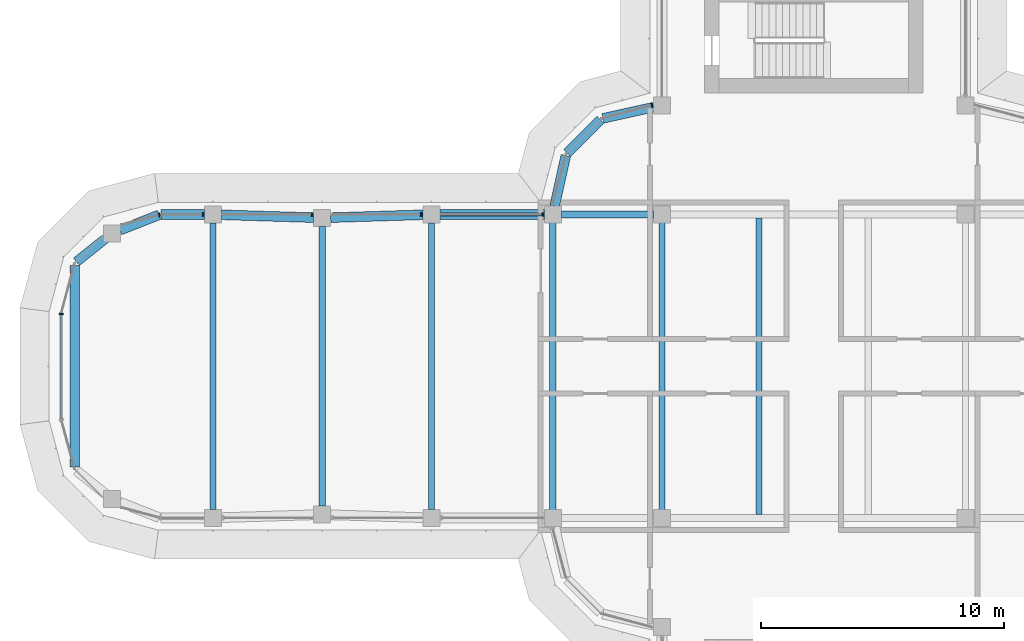
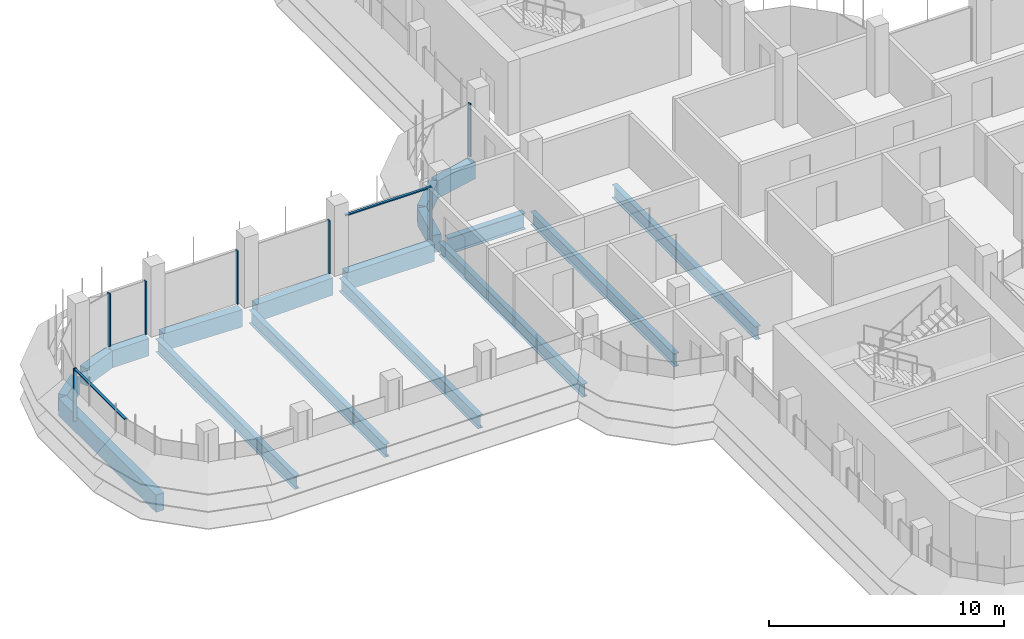
# One storey, part 6 of 19: 17 beams, 9 members, 4 elements without a shape of their own.
"""IFC4 building model written with IfcOpenShell, lengths in metres."""

from ifc_helpers import new_model, si_unit, direction, frame, origin, origin_2d, place, context, subcontext, project, spatial, polyline, rectangle, i_section, outline, extrude, source, transform, mapped, material, material_profile, profile_set, type_object, element, aggregate, save


model = new_model("IFC4")

# Units and contexts
model_context = context("Model", 3, precision=1e-05, world=origin(), true_north=direction((0.0, 1.0)))
body_context = subcontext(model_context, "Body", "Model", "MODEL_VIEW")
ifc_project = project(units=[si_unit("LENGTHUNIT", "METRE"), si_unit("AREAUNIT", "SQUARE_METRE"), si_unit("VOLUMEUNIT", "CUBIC_METRE"), si_unit("PLANEANGLEUNIT", "RADIAN"), si_unit("MASSUNIT", "GRAM", prefix="KILO")], contexts=[model_context])

# Site, building, storey
site_placement = place(None, origin())
site = spatial("IfcSite", under=ifc_project, at=site_placement, CompositionType="ELEMENT")
building_placement = place(site_placement, origin())
building = spatial("IfcBuilding", under=site, at=building_placement, Name="Zarbagh Exchange Tower", CompositionType="ELEMENT")
storey_placement = place(building_placement, frame((0.0, 0.0, 233.39990234375)))
storey = spatial("IfcBuildingStorey", under=building, at=storey_placement, Name="L57", CompositionType="ELEMENT", Elevation=233.39990234375)

# Beams
ifc_material_1 = material(Name="Steel ASTM A992 Gr 50", Category="steel")
ifc_material_profile_1 = material_profile(ifc_material_1, i_section(OverallWidth=0.25390625, OverallDepth=0.67822265625, WebThickness=0.01171875, FlangeThickness=0.016357421875, at=origin_2d()), Name="W27X84")
ifc_profile_set_1 = profile_set([ifc_material_profile_1], Name="Steel ASTM A992 Gr 50")
beam_type_1 = type_object("IfcBeamType", Name="Floor beam W27X84", PredefinedType="BEAM", material=ifc_profile_set_1)
for number, where, z_axis, x_axis, name in (
    (1, (-10.75, -6.10400390625, -0.489013671875), (0.0, 1.0, 0.0), (-1.0, 0.0, 0.0), "Steel floor beam"),
    (2, (-6.25, -6.10400390625, -0.489013671875), (0.0, 1.0, 0.0), (-1.0, 0.0, 0.0), "Steel floor beam"),
    (3, (-2.25, -6.10400390625, -0.489013671875), (0.0, 1.0, 0.0), (-1.0, 0.0, 0.0), "Steel floor beam"),
):
    element("IfcBeam", number, at=place(storey_placement, frame(where, z_axis=z_axis, x_axis=x_axis)), inside=storey, type_object=beam_type_1, Name=name, PredefinedType="BEAM", context=body_context, shape_type="SweptSolid", body=[
        extrude(i_section(OverallWidth=0.25390625, OverallDepth=0.67822265625, WebThickness=0.01171875, FlangeThickness=0.016357421875, at=origin_2d()), origin(), (0.0, 0.0, 1.0), 12.2080078125),
    ])
beam_1_placement = place(storey_placement, frame((-15.75, -5.89990234375, -0.489013671875), z_axis=(0.0, 1.0, 0.0), x_axis=(-1.0, 0.0, 0.0)))
element("IfcBeam", 4, at=beam_1_placement, inside=storey, type_object=beam_type_1, Name="Steel floor beam", PredefinedType="BEAM", context=body_context, shape_type="SweptSolid", body=[
    extrude(i_section(OverallWidth=0.25390625, OverallDepth=0.67822265625, WebThickness=0.01171875, FlangeThickness=0.016357421875, at=origin_2d()), origin(), (0.0, 0.0, 1.0), 11.7998046875),
])
beam_2_placement = place(storey_placement, frame((-20.25, -5.760009765625, -0.489013671875), z_axis=(0.0, 1.0, 0.0), x_axis=(-1.0, 0.0, 0.0)))
element("IfcBeam", 5, at=beam_2_placement, inside=storey, type_object=beam_type_1, Name="Steel floor beam", PredefinedType="BEAM", context=body_context, shape_type="SweptSolid", body=[
    extrude(i_section(OverallWidth=0.25390625, OverallDepth=0.67822265625, WebThickness=0.01171875, FlangeThickness=0.016357421875, at=origin_2d()), origin(), (0.0, 0.0, 1.0), 11.52001953125),
])
beam_3_placement = place(storey_placement, frame((-24.75, -5.89990234375, -0.489013671875), z_axis=(0.0, 1.0, 0.0), x_axis=(-1.0, 0.0, 0.0)))
element("IfcBeam", 6, at=beam_3_placement, inside=storey, type_object=beam_type_1, Name="Steel floor beam", PredefinedType="BEAM", context=body_context, shape_type="SweptSolid", body=[
    extrude(i_section(OverallWidth=0.25390625, OverallDepth=0.67822265625, WebThickness=0.01171875, FlangeThickness=0.016357421875, at=origin_2d()), origin(), (0.0, 0.0, 1.0), 11.7998046875),
])
ifc_material_profile_2 = material_profile(ifc_material_1, i_section(OverallWidth=0.2919921875, OverallDepth=0.835693359375, WebThickness=0.013916015625, FlangeThickness=0.018798828125, at=origin_2d()), Name="W33X118")
ifc_profile_set_2 = profile_set([ifc_material_profile_2], Name="Steel ASTM A992 Gr 50")
beam_type_2 = type_object("IfcBeamType", Name="Floor girder W33X118", PredefinedType="BEAM", material=ifc_profile_set_2)
beam_4_placement = place(storey_placement, frame((-10.39990234375, 6.25, -0.567626953125), z_axis=(1.0, 0.0, 0.0), x_axis=(0.0, 1.0, 0.0)))
element("IfcBeam", 7, at=beam_4_placement, inside=storey, type_object=beam_type_2, Name="Steel girder", PredefinedType="BEAM", context=body_context, shape_type="SweptSolid", body=[
    extrude(i_section(OverallWidth=0.2919921875, OverallDepth=0.835693359375, WebThickness=0.013916015625, FlangeThickness=0.018798828125, at=origin_2d()), origin(), (0.0, 0.0, 1.0), 3.7998046875),
])
ifc_material_2 = material(Name="Concrete C50/60", Category="concrete")
ifc_material_profile_3 = material_profile(ifc_material_2, rectangle(XDim=0.39990234375, YDim=0.89990234375, at=origin_2d()), Name="RC spandrel beam 400 x 900 C50/60")
ifc_profile_set_3 = profile_set([ifc_material_profile_3], Name="Concrete C50/60")
beam_type_3 = type_object("IfcBeamType", Name="RC spandrel beam 400 x 900 C50/60", PredefinedType="SPANDREL", material=ifc_profile_set_3)
beam_5_placement = place(storey_placement, frame((-30.44873046875, -4.14501953125, -0.599853515625), z_axis=(0.0, 1.0, 0.0), x_axis=(-1.0, 0.0, 0.0)))
element("IfcBeam", 8, at=beam_5_placement, inside=storey, type_object=beam_type_3, Name="RC spandrel beam", PredefinedType="SPANDREL", context=body_context, shape_type="SweptSolid", body=[
    extrude(rectangle(XDim=0.39990234375, YDim=0.89990234375, at=origin_2d()), origin(), (0.0, 0.0, 1.0), 8.2900390625),
])
beam_6_placement = place(storey_placement, frame((-30.373779296875, 4.30126953125, -0.599853515625), z_axis=(0.780634897504, 0.62498732531, 0.0), x_axis=(-0.62498732531, 0.780634897504, 0.0)))
element("IfcBeam", 9, at=beam_6_placement, inside=storey, type_object=beam_type_3, Name="RC spandrel beam", PredefinedType="SPANDREL", context=body_context, shape_type="SweptSolid", body=[
    extrude(rectangle(XDim=0.39990234375, YDim=0.89990234375, at=origin_2d()), origin(), (0.0, 0.0, 1.0), 1.52783203125),
])
beam_7_placement = place(storey_placement, frame((-28.582275390625, 5.602783203125, -0.599853515625), z_axis=(0.930809711446, 0.365504146457, 0.0), x_axis=(-0.365504146457, 0.930809711446, 0.0)))
element("IfcBeam", 10, at=beam_7_placement, inside=storey, type_object=beam_type_3, Name="RC spandrel beam", PredefinedType="SPANDREL", context=body_context, shape_type="SweptSolid", body=[
    extrude(rectangle(XDim=0.39990234375, YDim=0.89990234375, at=origin_2d()), origin(), (0.0, 0.0, 1.0), 1.732666015625),
])
beam_8_placement = place(storey_placement, frame((-26.896240234375, 6.25, -0.599853515625), z_axis=(1.0, 0.0, 0.0), x_axis=(0.0, 1.0, 0.0)))
element("IfcBeam", 11, at=beam_8_placement, inside=storey, type_object=beam_type_3, Name="RC spandrel beam", PredefinedType="SPANDREL", context=body_context, shape_type="SweptSolid", body=[
    extrude(rectangle(XDim=0.39990234375, YDim=0.89990234375, at=origin_2d()), origin(), (0.0, 0.0, 1.0), 1.796142578125),
])
for number, where, z_axis, x_axis, name in (
    (12, (-24.400146484375, 6.239013671875, -0.599853515625), (0.999516950199, -0.031078389046, 0.0), (0.031078389046, 0.999516950199, 0.0), "RC spandrel beam"),
    (13, (-19.900146484375, 6.120849609375, -0.599853515625), (0.999516950199, 0.031078389046, 0.0), (-0.031078389046, 0.999516950199, 0.0), "RC spandrel beam"),
):
    element("IfcBeam", number, at=place(storey_placement, frame(where, z_axis=z_axis, x_axis=x_axis)), inside=storey, type_object=beam_type_3, Name=name, PredefinedType="SPANDREL", context=body_context, shape_type="SweptSolid", body=[
        extrude(rectangle(XDim=0.39990234375, YDim=0.89990234375, at=origin_2d()), origin(), (0.0, 0.0, 1.0), 3.80224609375),
    ])
beam_9_placement = place(storey_placement, frame((-15.39990234375, 6.25, -0.599853515625), z_axis=(1.0, 0.0, 0.0), x_axis=(0.0, 1.0, 0.0)))
element("IfcBeam", 14, at=beam_9_placement, inside=storey, type_object=beam_type_3, Name="RC spandrel beam", PredefinedType="SPANDREL", context=body_context, shape_type="SweptSolid", body=[
    extrude(rectangle(XDim=0.39990234375, YDim=0.89990234375, at=origin_2d()), origin(), (0.0, 0.0, 1.0), 4.2998046875),
])
beam_10_placement = place(storey_placement, frame((-10.67431640625, 6.591796875, -0.599853515625), z_axis=(0.216013551096, 0.97639036545, 0.0), x_axis=(-0.97639036545, 0.216013551096, 0.0)))
element("IfcBeam", 15, at=beam_10_placement, inside=storey, type_object=beam_type_3, Name="RC spandrel beam", PredefinedType="SPANDREL", context=body_context, shape_type="SweptSolid", body=[
    extrude(rectangle(XDim=0.39990234375, YDim=0.89990234375, at=origin_2d()), origin(), (0.0, 0.0, 1.0), 2.142822265625),
])
beam_11_placement = place(storey_placement, frame((-10.15771484375, 8.782470703125, -0.599853515625), z_axis=(0.707106781187, 0.707106781187, 0.0), x_axis=(-0.707106781187, 0.707106781187, 0.0)))
element("IfcBeam", 16, at=beam_11_placement, inside=storey, type_object=beam_type_3, Name="RC spandrel beam", PredefinedType="SPANDREL", context=body_context, shape_type="SweptSolid", body=[
    extrude(rectangle(XDim=0.39990234375, YDim=0.89990234375, at=origin_2d()), origin(), (0.0, 0.0, 1.0), 1.94482421875),
])
beam_12_placement = place(storey_placement, frame((-8.68408203125, 10.21142578125, -0.599853515625), z_axis=(0.97639036545, 0.216013551096, 0.0), x_axis=(-0.216013551096, 0.97639036545, 0.0)))
element("IfcBeam", 17, at=beam_12_placement, inside=storey, type_object=beam_type_3, Name="RC spandrel beam", PredefinedType="SPANDREL", context=body_context, shape_type="SweptSolid", body=[
    extrude(rectangle(XDim=0.39990234375, YDim=0.89990234375, at=origin_2d()), origin(), (0.0, 0.0, 1.0), 2.142822265625),
])

# Curtain wall, member
ifc_material_3 = material(Name="Anodised aluminium frame and glazing", Category="aluminium")
curtain_wall_type = type_object("IfcCurtainWallType", Name="CWB Ribbon glazing, upper zones", PredefinedType="NOTDEFINED", material=ifc_material_3)
curtain_wall_1_placement = place(storey_placement, origin())
curtain_wall_1 = element("IfcCurtainWall", 18, at=curtain_wall_1_placement, inside=storey, type_object=curtain_wall_type, Name="CWB29 curtain wall", PredefinedType="NOTDEFINED")
ifc_material_4 = material(Name="Anodised aluminium frame", Category="aluminium")
member_type_1 = type_object("IfcMemberType", Name="MUB Mullion, anodised aluminium frame", PredefinedType="MULLION", material=ifc_material_4)
shared_shape_1 = source(origin(), body_context, "Body", "SweptSolid", [
    extrude(outline(polyline([(0.0, -0.080078125), (0.06005859375, -0.080078125), (0.06005859375, 0.080078125), (0.0, 0.080078125), (0.0, -0.080078125)])), origin(), (0.0, 0.0, 1.0), 2.75),
])
placement = place(storey_placement, origin())
member_1 = element("IfcMember", 19, at=placement, type_object=member_type_1, Name="CWB29 mullion 1.1", PredefinedType="MULLION", context=body_context, shape_type="MappedRepresentation", body=[
    mapped(shared_shape_1, transform((-6.64013671875, 10.76171875, 0.0), x_axis=(-0.965924289636, -0.258824779902, 0.0), y_axis=(0.258824779902, -0.965924289636, 0.0), z_axis=(0.0, 0.0, 1.0))),
])
aggregate(curtain_wall_1, [member_1])

# Curtain wall, members
curtain_wall_2_placement = place(storey_placement, origin())
curtain_wall_2 = element("IfcCurtainWall", 20, at=curtain_wall_2_placement, inside=storey, type_object=curtain_wall_type, Name="CWB58 curtain wall", PredefinedType="NOTDEFINED")
member_2 = element("IfcMember", 21, at=placement, type_object=member_type_1, Name="CWB58 mullion 1.1", PredefinedType="MULLION", context=body_context, shape_type="MappedRepresentation", body=[
    mapped(shared_shape_1, transform((-11.14013671875, 6.25, 0.0), x_axis=(-1.0, 0.0, 0.0), y_axis=(0.0, -1.0, 0.0), z_axis=(0.0, 0.0, 1.0))),
])
member_3 = element("IfcMember", 22, at=placement, type_object=member_type_1, Name="CWB58 mullion 2.1", PredefinedType="MULLION", context=body_context, shape_type="MappedRepresentation", body=[
    mapped(shared_shape_1, transform((-16.14013671875, 6.25, 0.0), x_axis=(-1.0, 0.0, 0.0), y_axis=(0.0, -1.0, 0.0), z_axis=(0.0, 0.0, 1.0))),
])
member_4 = element("IfcMember", 23, at=placement, type_object=member_type_1, Name="CWB58 mullion 3.1", PredefinedType="MULLION", context=body_context, shape_type="MappedRepresentation", body=[
    mapped(shared_shape_1, transform((-20.64013671875, 6.25, 0.0), x_axis=(-1.0, 0.0, 0.0), y_axis=(0.0, -1.0, 0.0), z_axis=(0.0, 0.0, 1.0))),
])
member_5 = element("IfcMember", 24, at=placement, type_object=member_type_1, Name="CWB58 mullion 4.1", PredefinedType="MULLION", context=body_context, shape_type="MappedRepresentation", body=[
    mapped(shared_shape_1, transform((-25.14013671875, 6.25, 0.0), x_axis=(-1.0, 0.0, 0.0), y_axis=(0.0, -1.0, 0.0), z_axis=(0.0, 0.0, 1.0))),
])

# Curtain wall, member
curtain_wall_3_placement = place(storey_placement, origin())
curtain_wall_3 = element("IfcCurtainWall", 25, at=curtain_wall_3_placement, inside=storey, type_object=curtain_wall_type, Name="CWB59 curtain wall", PredefinedType="NOTDEFINED")
member_6 = element("IfcMember", 26, at=placement, type_object=member_type_1, Name="CWB59 mullion 1.1", PredefinedType="MULLION", context=body_context, shape_type="MappedRepresentation", body=[
    mapped(shared_shape_1, transform((-26.93408203125, 6.25, 0.0), x_axis=(-0.965924289636, -0.258824779902, 0.0), y_axis=(0.258824779902, -0.965924289636, 0.0), z_axis=(0.0, 0.0, 1.0))),
])
aggregate(curtain_wall_3, [member_6])

# Curtain wall, members
curtain_wall_4_placement = place(storey_placement, origin())
curtain_wall_4 = element("IfcCurtainWall", 27, at=curtain_wall_4_placement, inside=storey, type_object=curtain_wall_type, Name="CWB66 curtain wall", PredefinedType="NOTDEFINED")
member_7 = element("IfcMember", 28, at=placement, type_object=member_type_1, Name="CWB66 mullion 1.1", PredefinedType="MULLION", context=body_context, shape_type="MappedRepresentation", body=[
    mapped(shared_shape_1, transform((-31.0, 2.18408203125, 0.0), x_axis=(0.0, -1.0, 0.0), y_axis=(1.0, 0.0, 0.0), z_axis=(0.0, 0.0, 1.0))),
])
member_type_2 = type_object("IfcMemberType", Name="TRB Transom, anodised aluminium frame", PredefinedType="USERDEFINED", material=ifc_material_4)
shared_shape_2 = source(origin(), body_context, "Body", "SweptSolid", [
    extrude(outline(polyline([(-0.06005859375, -0.06005859375), (0.0, -0.06005859375), (0.0, 0.06005859375), (-0.06005859375, 0.06005859375), (-0.06005859375, -0.06005859375)])), origin(), (0.0, 0.0, 1.0), 4.308349609375),
])
member_8 = element("IfcMember", 29, at=placement, type_object=member_type_2, Name="CWB66 transom 1.1", ObjectType="TRANSOM", PredefinedType="USERDEFINED", context=body_context, shape_type="MappedRepresentation", body=[
    mapped(shared_shape_2, transform((-31.0, 2.124267578125, 2.75), x_axis=(0.0, 0.0, 1.0), y_axis=(-1.0, 0.0, 0.0), z_axis=(0.0, -1.0, 0.0))),
])
aggregate(curtain_wall_4, [member_7, member_8])

# Member
shared_shape_3 = source(origin(), body_context, "Body", "SweptSolid", [
    extrude(outline(polyline([(-0.06005859375, -0.06005859375), (0.0, -0.06005859375), (0.0, 0.06005859375), (-0.06005859375, 0.06005859375), (-0.06005859375, -0.06005859375)])), origin(), (0.0, 0.0, 1.0), 4.159912109375),
])
member_9 = element("IfcMember", 30, at=placement, type_object=member_type_2, Name="CWB58 transom 1.1", ObjectType="TRANSOM", PredefinedType="USERDEFINED", context=body_context, shape_type="MappedRepresentation", body=[
    mapped(shared_shape_3, transform((-11.199951171875, 6.25, 2.75), x_axis=(0.0, 0.0, 1.0), y_axis=(0.0, 1.0, 0.0), z_axis=(-1.0, 0.0, 0.0))),
])

aggregate(curtain_wall_2, [member_2, member_9, member_3, member_4, member_5])

save(model, "model.ifc")
